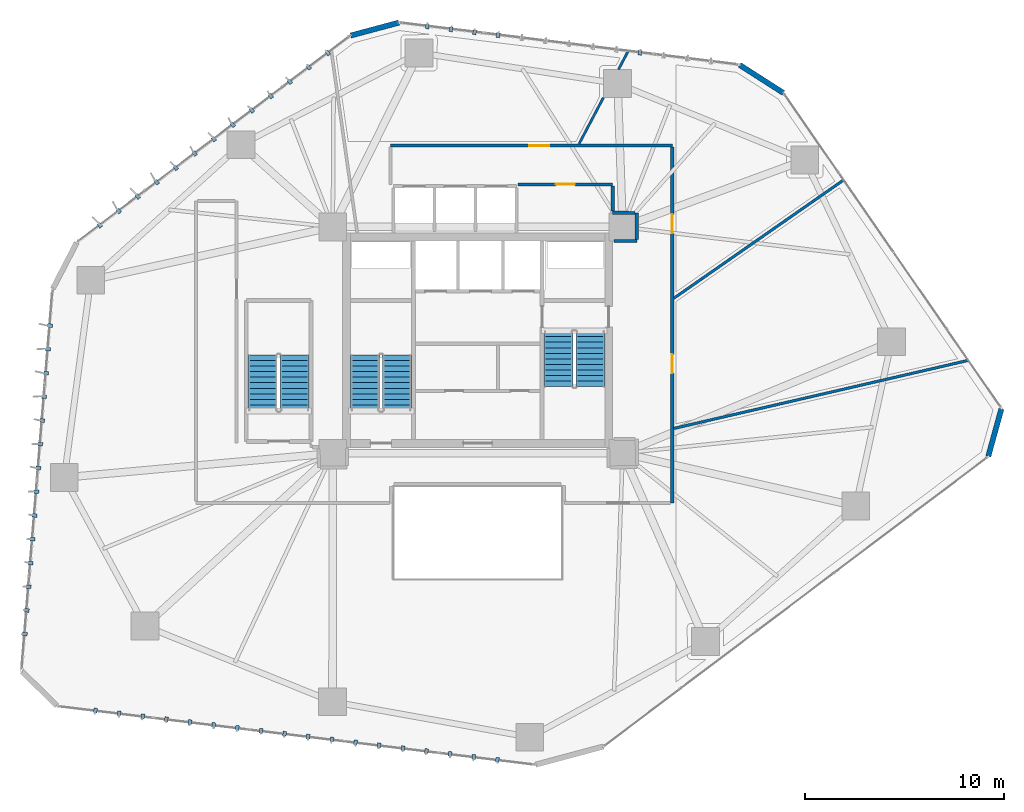
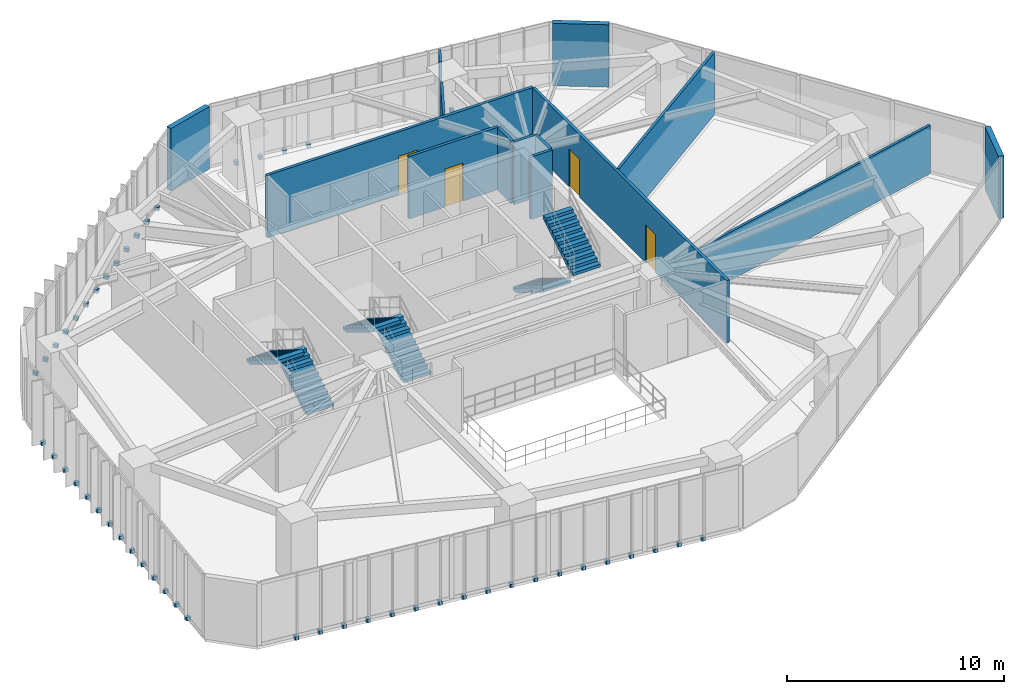
# One storey, part 19 of 23: 50 discrete accessories, 14 walls, 6 stair flights, 4 doors, 4 openings, 3 elements without a shape of their own.
"""IFC4 building model written with IfcOpenShell, lengths in metres."""

from ifc_helpers import new_model, si_unit, direction, frame, frame_2d, origin, origin_2d, place, context, subcontext, project, spatial, polyline, rectangle, outline, extrude, source, transform, mapped, material, layer, layer_set, type_object, type_shapes, element, fill, aggregate, save


model = new_model("IFC4")

# Units and contexts
model_context = context("Model", 3, precision=1e-05, world=origin(), true_north=direction((0.0, 1.0)))
body_context = subcontext(model_context, "Body", "Model", "MODEL_VIEW")
ifc_project = project(units=[si_unit("LENGTHUNIT", "METRE"), si_unit("AREAUNIT", "SQUARE_METRE"), si_unit("VOLUMEUNIT", "CUBIC_METRE"), si_unit("PLANEANGLEUNIT", "RADIAN"), si_unit("MASSUNIT", "GRAM", prefix="KILO")], contexts=[model_context])

# Site, building, storey
site_placement = place(None, origin())
site = spatial("IfcSite", under=ifc_project, at=site_placement, CompositionType="ELEMENT")
building_placement = place(site_placement, origin())
building = spatial("IfcBuilding", under=site, at=building_placement, Name="Talar Marvaseh", CompositionType="ELEMENT")
storey_placement = place(building_placement, frame((0.0, 0.0, 69.60009765625)))
storey = spatial("IfcBuildingStorey", under=building, at=storey_placement, Name="L17", CompositionType="ELEMENT", Elevation=69.60009765625)

# Walls
ifc_material_1 = material(Name="Precast concrete C45/55", Category="concrete")
ifc_layer_1 = layer(ifc_material_1, 0.27001953125)
ifc_layer_set_1 = layer_set([ifc_layer_1], Name="Precast concrete C45/55")
wall_type_1 = type_object("IfcWallType", Name="Chamfered Hexagonal Corner Pier Wall Z1 270", PredefinedType="SOLIDWALL", material=ifc_layer_set_1)
wall_1_placement = place(storey_placement, frame((19.595703125, 46.541259765625, 0.0), z_axis=(0.0, 0.0, 1.0), x_axis=(0.965929859648, 0.258803991931, 0.0)))
element("IfcWall", 1, at=wall_1_placement, inside=storey, type_object=wall_type_1, Name="L17 Chamfered Corner Limestone Pier 3", PredefinedType="SOLIDWALL", context=body_context, shape_type="SweptSolid", body=[
    extrude(rectangle(XDim=2.515869140625, YDim=0.27001953125, at=frame_2d((1.2578125, 0.0))), origin(), (0.0, 0.0, 1.0), 3.52001953125),
])
wall_2_placement = place(storey_placement, frame((39.190185546875, 45.062744140625, 0.0), z_axis=(0.0, 0.0, 1.0), x_axis=(0.842159829449, -0.53922798672, 0.0)))
element("IfcWall", 2, at=wall_2_placement, inside=storey, type_object=wall_type_1, Name="L17 Chamfered Corner Limestone Pier 4", PredefinedType="SOLIDWALL", context=body_context, shape_type="SweptSolid", body=[
    extrude(rectangle(XDim=2.623291015625, YDim=0.27001953125, at=frame_2d((1.3115234375, 0.0))), origin(), (0.0, 0.0, 1.0), 3.52001953125),
])
wall_3_placement = place(storey_placement, frame((52.380126953125, 27.733154296875, 0.0), z_axis=(0.0, 0.0, 1.0), x_axis=(-0.265960492777, -0.963983929473, 0.0)))
element("IfcWall", 3, at=wall_3_placement, inside=storey, type_object=wall_type_1, Name="L17 Chamfered Corner Limestone Pier 5", PredefinedType="SOLIDWALL", context=body_context, shape_type="SweptSolid", body=[
    extrude(rectangle(XDim=2.48388671875, YDim=0.27001953125, at=frame_2d((1.241943359375, 0.0))), origin(), (0.0, 0.0, 1.0), 3.52001953125),
])

# Wall, opening, door
ifc_material_2 = material(Name="Gypsum Board Partition Assembly")
ifc_layer_2 = layer(ifc_material_2, 0.155029296875)
ifc_layer_set_2 = layer_set([ifc_layer_2], Name="Gypsum Board Partition Assembly")
wall_type_2 = type_object("IfcWallType", Name="Corridor Fire-Rated Acoustic Partition 155", PredefinedType="PARTITIONING", material=ifc_layer_set_2)
wall_4_placement = place(storey_placement, frame((32.800048828125, 39.0400390625, 0.0), z_axis=(0.0, 0.0, 1.0), x_axis=(-1.0, 0.0, 0.0)))
wall_4 = element("IfcWall", 4, at=wall_4_placement, inside=storey, type_object=wall_type_2, Name="L17 Interior Partition Wall", PredefinedType="PARTITIONING", context=body_context, shape_type="SweptSolid", body=[
    extrude(rectangle(XDim=4.77001953125, YDim=0.155029296875, at=frame_2d((2.385009765625, 0.0))), origin(), (0.0, 0.0, 1.0), 3.52001953125),
])
opening_1_placement = place(wall_4_placement, frame((1.909912109375, 0.0, 0.0)))
opening_1 = element("IfcOpeningElement", 5, at=opening_1_placement, cuts=wall_4, Name="Opening DR-WC095", PredefinedType="OPENING", context=body_context, shape_type="SweptSolid", body=[
    extrude(rectangle(XDim=0.949951171875, YDim=2.14990234375, at=frame_2d((0.47509765625, 1.074951171875))), frame((0.0, 0.08740234375, 0.0), z_axis=(0.0, -1.0, 0.0), x_axis=(1.0, 0.0, 0.0)), (0.0, 0.0, 1.0), 0.175048828125),
])
ifc_material_3 = material(Name="Acoustic Engineered Oak Timber", Category="wood")
door_type_1 = type_object("IfcDoorType", Name="Washroom and Service Room Door 950x2150", OperationType="NOTDEFINED", PredefinedType="DOOR", material=ifc_material_3)
shared_shape_1 = source(origin(), body_context, "Body", "SweptSolid", [
    extrude(rectangle(XDim=0.949951171875, YDim=2.14990234375, at=frame_2d((0.47509765625, 1.074951171875))), frame((0.0, 0.02490234375, 0.0), z_axis=(0.0, -1.0, 0.0), x_axis=(1.0, 0.0, 0.0)), (0.0, 0.0, 1.0), 0.050048828125),
])
type_shapes(door_type_1, [shared_shape_1])
door_1_placement = place(opening_1_placement, origin())
door_1 = element("IfcDoor", 6, at=door_1_placement, inside=storey, type_object=door_type_1, Name="L17 WC Public Washrooms Door", OperationType="SINGLE_SWING_LEFT", OverallHeight=2.14990234375, OverallWidth=0.949951171875, PredefinedType="DOOR", context=body_context, shape_type="MappedRepresentation", body=[
    mapped(shared_shape_1, transform((0.0, 0.0, 0.0), x_axis=(1.0, 0.0, 0.0), y_axis=(0.0, 1.0, 0.0), z_axis=(0.0, 0.0, 1.0), scale=1.0)),
])
fill(opening_1, door_1)

wall_5_placement = place(storey_placement, frame((21.60009765625, 41.0, 0.0), z_axis=(0.0, 0.0, 1.0), x_axis=(1.0, 0.0, 0.0)))
wall_5 = element("IfcWall", 7, at=wall_5_placement, inside=storey, type_object=wall_type_2, Name="L17 Interior Partition Wall", PredefinedType="PARTITIONING", context=body_context, shape_type="SweptSolid", body=[
    extrude(rectangle(XDim=14.199951171875, YDim=0.155029296875, at=frame_2d((7.10009765625, 0.0))), origin(), (0.0, 0.0, 1.0), 3.52001953125),
])
opening_2_placement = place(wall_5_placement, frame((7.002685546875, 0.0, 0.0)))
opening_2 = element("IfcOpeningElement", 8, at=opening_2_placement, cuts=wall_5, Name="Opening DR-RM100", PredefinedType="OPENING", context=body_context, shape_type="SweptSolid", body=[
    extrude(rectangle(XDim=1.0, YDim=2.14990234375, at=frame_2d((0.5, 1.074951171875))), frame((0.0, 0.08740234375, 0.0), z_axis=(0.0, -1.0, 0.0), x_axis=(1.0, 0.0, 0.0)), (0.0, 0.0, 1.0), 0.175048828125),
])
door_type_2 = type_object("IfcDoorType", Name="Corridor Fire-Rated Gallery Door 1000x2150", OperationType="NOTDEFINED", PredefinedType="DOOR", material=ifc_material_3)
shared_shape_2 = source(origin(), body_context, "Body", "SweptSolid", [
    extrude(rectangle(XDim=1.0, YDim=2.14990234375, at=frame_2d((0.5, 1.074951171875))), frame((0.0, 0.02490234375, 0.0), z_axis=(0.0, -1.0, 0.0), x_axis=(1.0, 0.0, 0.0)), (0.0, 0.0, 1.0), 0.050048828125),
])
type_shapes(door_type_2, [shared_shape_2])
door_2_placement = place(opening_2_placement, origin())
door_2 = element("IfcDoor", 9, at=door_2_placement, inside=storey, type_object=door_type_2, Name="L17 Main Reading Room Door", OperationType="SINGLE_SWING_RIGHT", OverallHeight=2.14990234375, OverallWidth=1.0, PredefinedType="DOOR", context=body_context, shape_type="MappedRepresentation", body=[
    mapped(shared_shape_2, transform((0.0, 0.0, 0.0), x_axis=(1.0, 0.0, 0.0), y_axis=(0.0, 1.0, 0.0), z_axis=(0.0, 0.0, 1.0), scale=1.0)),
])
fill(opening_2, door_2)

# Wall, openings, doors
wall_6_placement = place(storey_placement, frame((35.800048828125, 40.91650390625, 0.0), z_axis=(0.0, 0.0, 1.0), x_axis=(0.0, -1.0, 0.0)))
wall_6 = element("IfcWall", 10, at=wall_6_placement, inside=storey, type_object=wall_type_2, Name="L17 Interior Partition Wall", PredefinedType="PARTITIONING", context=body_context, shape_type="SweptSolid", body=[
    extrude(rectangle(XDim=17.91650390625, YDim=0.155029296875, at=frame_2d((8.958251953125, 0.0))), origin(), (0.0, 0.0, 1.0), 3.52001953125),
])
opening_3_placement = place(wall_6_placement, frame((10.434814453125, 0.0, 0.0)))
opening_3 = element("IfcOpeningElement", 11, at=opening_3_placement, cuts=wall_6, Name="Opening DR-WC095", PredefinedType="OPENING", context=body_context, shape_type="SweptSolid", body=[
    extrude(rectangle(XDim=0.949951171875, YDim=2.14990234375, at=frame_2d((0.47509765625, 1.074951171875))), frame((0.0, 0.08740234375, 0.0), z_axis=(0.0, -1.0, 0.0), x_axis=(1.0, 0.0, 0.0)), (0.0, 0.0, 1.0), 0.175048828125),
])
opening_4_placement = place(wall_6_placement, frame((3.38623046875, 0.0, 0.0)))
opening_4 = element("IfcOpeningElement", 12, at=opening_4_placement, cuts=wall_6, Name="Opening DR-WC095", PredefinedType="OPENING", context=body_context, shape_type="SweptSolid", body=[
    extrude(rectangle(XDim=0.949951171875, YDim=2.14990234375, at=frame_2d((0.47509765625, 1.074951171875))), frame((0.0, 0.08740234375, 0.0), z_axis=(0.0, -1.0, 0.0), x_axis=(1.0, 0.0, 0.0)), (0.0, 0.0, 1.0), 0.175048828125),
])
door_3_placement = place(opening_3_placement, origin())
door_3 = element("IfcDoor", 13, at=door_3_placement, inside=storey, type_object=door_type_1, Name="L17 Rare Books Archive Room Door", OperationType="SINGLE_SWING_LEFT", OverallHeight=2.14990234375, OverallWidth=0.949951171875, PredefinedType="DOOR", context=body_context, shape_type="MappedRepresentation", body=[
    mapped(shared_shape_1, transform((0.0, 0.0, 0.0), x_axis=(1.0, 0.0, 0.0), y_axis=(0.0, 1.0, 0.0), z_axis=(0.0, 0.0, 1.0), scale=1.0)),
])
fill(opening_3, door_3)
door_4_placement = place(opening_4_placement, origin())
door_4 = element("IfcDoor", 14, at=door_4_placement, inside=storey, type_object=door_type_1, Name="L17 Accessible WC Block Door", OperationType="SINGLE_SWING_RIGHT", OverallHeight=2.14990234375, OverallWidth=0.949951171875, PredefinedType="DOOR", context=body_context, shape_type="MappedRepresentation", body=[
    mapped(shared_shape_1, transform((0.0, 0.0, 0.0), x_axis=(1.0, 0.0, 0.0), y_axis=(0.0, 1.0, 0.0), z_axis=(0.0, 0.0, 1.0), scale=1.0)),
])
fill(opening_4, door_4)

# Walls
wall_7_placement = place(storey_placement, frame((32.8701171875, 36.18505859375, 0.0), z_axis=(0.0, 0.0, 1.0), x_axis=(0.999988932255, 0.00470482389, 0.0)))
element("IfcWall", 15, at=wall_7_placement, inside=storey, type_object=wall_type_2, Name="L17 Interior Partition Wall", PredefinedType="PARTITIONING", context=body_context, shape_type="SweptSolid", body=[
    extrude(rectangle(XDim=1.1416015625, YDim=0.155029296875, at=frame_2d((0.57080078125, 0.0))), origin(), (0.0, 0.0, 1.0), 3.52001953125),
])
wall_8_placement = place(storey_placement, frame((34.01171875, 36.27392578125, 0.0), z_axis=(0.0, 0.0, 1.0), x_axis=(0.0, 1.0, 0.0)))
element("IfcWall", 16, at=wall_8_placement, inside=storey, type_object=wall_type_2, Name="L17 Interior Partition Wall", PredefinedType="PARTITIONING", context=body_context, shape_type="SweptSolid", body=[
    extrude(rectangle(XDim=1.335693359375, YDim=0.155029296875, at=frame_2d((0.66796875, 0.0))), origin(), (0.0, 0.0, 1.0), 3.52001953125),
])
wall_9_placement = place(storey_placement, frame((33.927978515625, 37.60986328125, 0.0), z_axis=(0.0, 0.0, 1.0), x_axis=(-0.999989669582, 0.004545407589, 0.0)))
element("IfcWall", 17, at=wall_9_placement, inside=storey, type_object=wall_type_2, Name="L17 Interior Partition Wall", PredefinedType="PARTITIONING", context=body_context, shape_type="SweptSolid", body=[
    extrude(rectangle(XDim=1.1279296875, YDim=0.155029296875, at=frame_2d((0.56396484375, 0.0))), origin(), (0.0, 0.0, 1.0), 3.52001953125),
])
wall_10_placement = place(storey_placement, frame((32.800048828125, 37.698486328125, 0.0), z_axis=(0.0, 0.0, 1.0), x_axis=(0.0, 1.0, 0.0)))
element("IfcWall", 18, at=wall_10_placement, inside=storey, type_object=wall_type_2, Name="L17 Interior Partition Wall", PredefinedType="PARTITIONING", context=body_context, shape_type="SweptSolid", body=[
    extrude(rectangle(XDim=1.258056640625, YDim=0.155029296875, at=frame_2d((0.62890625, 0.0))), origin(), (0.0, 0.0, 1.0), 3.52001953125),
])
ifc_layer_3 = layer(ifc_material_2, 0.1201171875)
ifc_layer_set_3 = layer_set([ifc_layer_3], Name="Gypsum Board Partition Assembly")
wall_type_3 = type_object("IfcWallType", Name="Demountable Studio Room Partition 120", PredefinedType="PARTITIONING", material=ifc_layer_set_3)
wall_11_placement = place(storey_placement, frame((31.10400390625, 41.08349609375, 0.0), z_axis=(0.0, 0.0, 1.0), x_axis=(0.466236131142, 0.884660313351, 0.0)))
element("IfcWall", 19, at=wall_11_placement, inside=storey, type_object=wall_type_3, Name="L17 Interior Partition Wall", PredefinedType="PARTITIONING", context=body_context, shape_type="SweptSolid", body=[
    extrude(rectangle(XDim=2.629638671875, YDim=0.1201171875, at=frame_2d((1.31494140625, 0.0))), origin(), (0.0, 0.0, 1.0), 3.52001953125),
])
wall_12_placement = place(storey_placement, frame((33.090087890625, 44.830078125, 0.0), z_axis=(0.0, 0.0, 1.0), x_axis=(0.46625411045, 0.884650837612, 0.0)))
element("IfcWall", 20, at=wall_12_placement, inside=storey, type_object=wall_type_3, Name="L17 Interior Partition Wall", PredefinedType="PARTITIONING", context=body_context, shape_type="SweptSolid", body=[
    extrude(rectangle(XDim=1.030517578125, YDim=0.1201171875, at=frame_2d((0.51513671875, 0.0))), origin(), (0.0, 0.0, 1.0), 3.52001953125),
])
ifc_layer_4 = layer(ifc_material_2, 0.135009765625)
ifc_layer_set_4 = layer_set([ifc_layer_4], Name="Gypsum Board Partition Assembly")
wall_type_4 = type_object("IfcWallType", Name="Gallery High-Acoustic Partition 135", PredefinedType="PARTITIONING", material=ifc_layer_set_4)
wall_13_placement = place(storey_placement, frame((35.86328125, 26.74462890625, 0.0), z_axis=(0.0, 0.0, 1.0), x_axis=(0.974313547444, 0.225195717691, 0.0)))
element("IfcWall", 21, at=wall_13_placement, inside=storey, type_object=wall_type_4, Name="L17 Interior Partition Wall", PredefinedType="PARTITIONING", context=body_context, shape_type="SweptSolid", body=[
    extrude(rectangle(XDim=15.219970703125, YDim=0.135009765625, at=frame_2d((7.60986328125, 0.0))), origin(), (0.0, 0.0, 1.0), 2.721923828125),
])
wall_14_placement = place(storey_placement, frame((35.883544921875, 33.30810546875, 0.0), z_axis=(0.0, 0.0, 1.0), x_axis=(0.820543678504, 0.571583827332, 0.0)))
element("IfcWall", 22, at=wall_14_placement, inside=storey, type_object=wall_type_4, Name="L17 Interior Partition Wall", PredefinedType="PARTITIONING", context=body_context, shape_type="SweptSolid", body=[
    extrude(rectangle(XDim=10.396728515625, YDim=0.135009765625, at=frame_2d((5.1982421875, 0.0))), origin(), (0.0, 0.0, 1.0), 3.52001953125),
])

# Stair, stair flights
ifc_material_4 = material(Name="Concrete C40/50", Category="concrete")
stair_type = type_object("IfcStairType", Name="Reinforced Concrete Half-Turn Exit Stair Type B", PredefinedType="HALF_TURN_STAIR", material=ifc_material_4)
stair_1_placement = place(storey_placement, origin())
stair_1 = element("IfcStair", 23, at=stair_1_placement, inside=storey, type_object=stair_type, Name="L17 Tower West Core Exit Stair", PredefinedType="HALF_TURN_STAIR")
ifc_layer_5 = layer(ifc_material_4, 0.159912109375)
ifc_layer_set_5 = layer_set([ifc_layer_5], Name="Concrete C40/50")
stair_flight_type = type_object("IfcStairFlightType", Name="Reinforced Concrete Straight Stair Flight 160", PredefinedType="STRAIGHT", material=ifc_layer_set_5)
stair_flight_1_placement = place(storey_placement, frame((21.93505859375, 27.64990234375, 0.0), z_axis=(0.0, 0.0, 1.0), x_axis=(0.0, 1.0, 0.0)))
stair_flight_1 = element("IfcStairFlight", 24, at=stair_flight_1_placement, type_object=stair_flight_type, Name="ST-1 flight 1", NumberOfRisers=11, NumberOfTreads=10, PredefinedType="STRAIGHT", RiserHeight=0.172727273, TreadLength=0.28, context=body_context, shape_type="SweptSolid", body=[
    extrude(outline(polyline([(0.0, 0.0), (0.0, 0.172607421875), (0.280029296875, 0.172607421875), (0.280029296875, 0.345458984375), (0.56005859375, 0.345458984375), (0.56005859375, 0.51806640625), (0.840087890625, 0.51806640625), (0.840087890625, 0.69091796875), (1.1201171875, 0.69091796875), (1.1201171875, 0.863525390625), (1.39990234375, 0.863525390625), (1.39990234375, 1.036376953125), (1.679931640625, 1.036376953125), (1.679931640625, 1.208984375), (1.9599609375, 1.208984375), (1.9599609375, 1.3818359375), (2.239990234375, 1.3818359375), (2.239990234375, 1.554443359375), (2.52001953125, 1.554443359375), (2.52001953125, 1.727294921875), (2.800048828125, 1.727294921875), (2.800048828125, 1.89990234375), (2.800048828125, 1.539306640625), (0.3046875, 0.0), (0.0, 0.0)])), frame((0.0, 0.72509765625, 0.0), z_axis=(0.0, -1.0, 0.0), x_axis=(1.0, 0.0, 0.0)), (0.0, 0.0, 1.0), 1.449951171875),
])
stair_flight_2_placement = place(storey_placement, frame((20.324951171875, 30.449951171875, 1.89990234375), z_axis=(0.0, 0.0, 1.0), x_axis=(0.0, -1.0, 0.0)))
stair_flight_2 = element("IfcStairFlight", 25, at=stair_flight_2_placement, type_object=stair_flight_type, Name="ST-1 flight 2", NumberOfRisers=11, NumberOfTreads=10, PredefinedType="STRAIGHT", RiserHeight=0.172727273, TreadLength=0.28, context=body_context, shape_type="SweptSolid", body=[
    extrude(outline(polyline([(0.0, 0.0), (0.0, 0.172607421875), (0.280029296875, 0.172607421875), (0.280029296875, 0.345458984375), (0.56005859375, 0.345458984375), (0.56005859375, 0.51806640625), (0.840087890625, 0.51806640625), (0.840087890625, 0.69091796875), (1.1201171875, 0.69091796875), (1.1201171875, 0.863525390625), (1.39990234375, 0.863525390625), (1.39990234375, 1.036376953125), (1.679931640625, 1.036376953125), (1.679931640625, 1.208984375), (1.9599609375, 1.208984375), (1.9599609375, 1.3818359375), (2.239990234375, 1.3818359375), (2.239990234375, 1.554443359375), (2.52001953125, 1.554443359375), (2.52001953125, 1.727294921875), (2.800048828125, 1.727294921875), (2.800048828125, 1.89990234375), (2.800048828125, 1.539306640625), (0.3046875, 0.0), (0.0, 0.0)])), frame((0.0, 0.72509765625, 0.0), z_axis=(0.0, -1.0, 0.0), x_axis=(1.0, 0.0, 0.0)), (0.0, 0.0, 1.0), 1.449951171875),
])
aggregate(stair_1, [stair_flight_1, stair_flight_2])

stair_2_placement = place(storey_placement, origin())
stair_2 = element("IfcStair", 26, at=stair_2_placement, inside=storey, type_object=stair_type, Name="L17 Tower East Core Exit Stair", PredefinedType="HALF_TURN_STAIR")
stair_flight_3_placement = place(storey_placement, frame((30.06494140625, 31.64990234375, 0.0), z_axis=(0.0, 0.0, 1.0), x_axis=(0.0, -1.0, 0.0)))
stair_flight_3 = element("IfcStairFlight", 27, at=stair_flight_3_placement, type_object=stair_flight_type, Name="ST-2 flight 1", NumberOfRisers=11, NumberOfTreads=10, PredefinedType="STRAIGHT", RiserHeight=0.172727273, TreadLength=0.28, context=body_context, shape_type="SweptSolid", body=[
    extrude(outline(polyline([(0.0, 0.0), (0.0, 0.172607421875), (0.280029296875, 0.172607421875), (0.280029296875, 0.345458984375), (0.56005859375, 0.345458984375), (0.56005859375, 0.51806640625), (0.840087890625, 0.51806640625), (0.840087890625, 0.69091796875), (1.1201171875, 0.69091796875), (1.1201171875, 0.863525390625), (1.39990234375, 0.863525390625), (1.39990234375, 1.036376953125), (1.679931640625, 1.036376953125), (1.679931640625, 1.208984375), (1.9599609375, 1.208984375), (1.9599609375, 1.3818359375), (2.239990234375, 1.3818359375), (2.239990234375, 1.554443359375), (2.52001953125, 1.554443359375), (2.52001953125, 1.727294921875), (2.800048828125, 1.727294921875), (2.800048828125, 1.89990234375), (2.800048828125, 1.539306640625), (0.3046875, 0.0), (0.0, 0.0)])), frame((0.0, 0.72509765625, 0.0), z_axis=(0.0, -1.0, 0.0), x_axis=(1.0, 0.0, 0.0)), (0.0, 0.0, 1.0), 1.449951171875),
])
stair_flight_4_placement = place(storey_placement, frame((31.675048828125, 28.85009765625, 1.89990234375), z_axis=(0.0, 0.0, 1.0), x_axis=(0.0, 1.0, 0.0)))
stair_flight_4 = element("IfcStairFlight", 28, at=stair_flight_4_placement, type_object=stair_flight_type, Name="ST-2 flight 2", NumberOfRisers=11, NumberOfTreads=10, PredefinedType="STRAIGHT", RiserHeight=0.172727273, TreadLength=0.28, context=body_context, shape_type="SweptSolid", body=[
    extrude(outline(polyline([(0.0, 0.0), (0.0, 0.172607421875), (0.280029296875, 0.172607421875), (0.280029296875, 0.345458984375), (0.56005859375, 0.345458984375), (0.56005859375, 0.51806640625), (0.840087890625, 0.51806640625), (0.840087890625, 0.69091796875), (1.1201171875, 0.69091796875), (1.1201171875, 0.863525390625), (1.39990234375, 0.863525390625), (1.39990234375, 1.036376953125), (1.679931640625, 1.036376953125), (1.679931640625, 1.208984375), (1.9599609375, 1.208984375), (1.9599609375, 1.3818359375), (2.239990234375, 1.3818359375), (2.239990234375, 1.554443359375), (2.52001953125, 1.554443359375), (2.52001953125, 1.727294921875), (2.800048828125, 1.727294921875), (2.800048828125, 1.89990234375), (2.800048828125, 1.539306640625), (0.3046875, 0.0), (0.0, 0.0)])), frame((0.0, 0.72509765625, 0.0), z_axis=(0.0, -1.0, 0.0), x_axis=(1.0, 0.0, 0.0)), (0.0, 0.0, 1.0), 1.449951171875),
])
aggregate(stair_2, [stair_flight_3, stair_flight_4])

stair_3_placement = place(storey_placement, origin())
stair_3 = element("IfcStair", 29, at=stair_3_placement, inside=storey, type_object=stair_type, Name="L17 Museum & Podium Auxiliary Exit Stair", PredefinedType="HALF_TURN_STAIR")
stair_flight_5_placement = place(storey_placement, frame((16.77490234375, 27.64990234375, 0.0), z_axis=(0.0, 0.0, 1.0), x_axis=(0.0, 1.0, 0.0)))
stair_flight_5 = element("IfcStairFlight", 30, at=stair_flight_5_placement, type_object=stair_flight_type, Name="ST-3 flight 1", NumberOfRisers=11, NumberOfTreads=10, PredefinedType="STRAIGHT", RiserHeight=0.172727273, TreadLength=0.28, context=body_context, shape_type="SweptSolid", body=[
    extrude(outline(polyline([(0.0, 0.0), (0.0, 0.172607421875), (0.280029296875, 0.172607421875), (0.280029296875, 0.345458984375), (0.56005859375, 0.345458984375), (0.56005859375, 0.51806640625), (0.840087890625, 0.51806640625), (0.840087890625, 0.69091796875), (1.1201171875, 0.69091796875), (1.1201171875, 0.863525390625), (1.39990234375, 0.863525390625), (1.39990234375, 1.036376953125), (1.679931640625, 1.036376953125), (1.679931640625, 1.208984375), (1.9599609375, 1.208984375), (1.9599609375, 1.3818359375), (2.239990234375, 1.3818359375), (2.239990234375, 1.554443359375), (2.52001953125, 1.554443359375), (2.52001953125, 1.727294921875), (2.800048828125, 1.727294921875), (2.800048828125, 1.89990234375), (2.800048828125, 1.539306640625), (0.3046875, 0.0), (0.0, 0.0)])), frame((0.0, 0.72509765625, 0.0), z_axis=(0.0, -1.0, 0.0), x_axis=(1.0, 0.0, 0.0)), (0.0, 0.0, 1.0), 1.449951171875),
])
stair_flight_6_placement = place(storey_placement, frame((15.1650390625, 30.449951171875, 1.89990234375), z_axis=(0.0, 0.0, 1.0), x_axis=(0.0, -1.0, 0.0)))
stair_flight_6 = element("IfcStairFlight", 31, at=stair_flight_6_placement, type_object=stair_flight_type, Name="ST-3 flight 2", NumberOfRisers=11, NumberOfTreads=10, PredefinedType="STRAIGHT", RiserHeight=0.172727273, TreadLength=0.28, context=body_context, shape_type="SweptSolid", body=[
    extrude(outline(polyline([(0.0, 0.0), (0.0, 0.172607421875), (0.280029296875, 0.172607421875), (0.280029296875, 0.345458984375), (0.56005859375, 0.345458984375), (0.56005859375, 0.51806640625), (0.840087890625, 0.51806640625), (0.840087890625, 0.69091796875), (1.1201171875, 0.69091796875), (1.1201171875, 0.863525390625), (1.39990234375, 0.863525390625), (1.39990234375, 1.036376953125), (1.679931640625, 1.036376953125), (1.679931640625, 1.208984375), (1.9599609375, 1.208984375), (1.9599609375, 1.3818359375), (2.239990234375, 1.3818359375), (2.239990234375, 1.554443359375), (2.52001953125, 1.554443359375), (2.52001953125, 1.727294921875), (2.800048828125, 1.727294921875), (2.800048828125, 1.89990234375), (2.800048828125, 1.539306640625), (0.3046875, 0.0), (0.0, 0.0)])), frame((0.0, 0.72509765625, 0.0), z_axis=(0.0, -1.0, 0.0), x_axis=(1.0, 0.0, 0.0)), (0.0, 0.0, 1.0), 1.449951171875),
])
aggregate(stair_3, [stair_flight_5, stair_flight_6])

# Discrete accessories
ifc_material_5 = material(Name="Stainless Steel Grade 316", Category="steel")
discrete_accessory_type = type_object("IfcDiscreteAccessoryType", Name="Stainless Slab-Edge Fin Mounting Bracket", PredefinedType="BRACKET", material=ifc_material_5)
shared_shape_3 = source(origin(), body_context, "Body", "SweptSolid", [
    extrude(rectangle(XDim=0.239990234375, YDim=0.179931640625, at=origin_2d()), origin(), (0.0, 0.0, 1.0), 0.199951171875),
])
type_shapes(discrete_accessory_type, [shared_shape_3])
for number, where, z_axis, x_axis, name in (
    (32, (3.1884765625, 16.385009765625, -0.18017578125), (0.0, 0.0, 1.0), (-0.996708512156, 0.081068747348, 0.0), "L17 Vertical Fin Slab-Edge Bracket"),
    (33, (3.28564453125, 17.5810546875, -0.18017578125), (0.0, 0.0, 1.0), (-0.996708512156, 0.081068747348, 0.0), "L17 Vertical Fin Slab-Edge Bracket"),
    (34, (3.383056640625, 18.777099609375, -0.18017578125), (0.0, 0.0, 1.0), (-0.996708512156, 0.081068747348, 0.0), "L17 Vertical Fin Slab-Edge Bracket"),
    (35, (3.48046875, 19.97314453125, -0.18017578125), (0.0, 0.0, 1.0), (-0.996708512156, 0.081068747348, 0.0), "L17 Vertical Fin Slab-Edge Bracket"),
    (36, (3.577880859375, 21.169189453125, -0.18017578125), (0.0, 0.0, 1.0), (-0.996708512156, 0.081068747348, 0.0), "L17 Vertical Fin Slab-Edge Bracket"),
    (37, (3.67529296875, 22.365234375, -0.18017578125), (0.0, 0.0, 1.0), (-0.996708512156, 0.081068747348, 0.0), "L17 Vertical Fin Slab-Edge Bracket"),
    (38, (3.772705078125, 23.561279296875, -0.18017578125), (0.0, 0.0, 1.0), (-0.996708512156, 0.081068747348, 0.0), "L17 Vertical Fin Slab-Edge Bracket"),
    (39, (3.869873046875, 24.75732421875, -0.18017578125), (0.0, 0.0, 1.0), (-0.996708512156, 0.081068747348, 0.0), "L17 Vertical Fin Slab-Edge Bracket"),
    (40, (3.96728515625, 25.953369140625, -0.18017578125), (0.0, 0.0, 1.0), (-0.996708512156, 0.081068747348, 0.0), "L17 Vertical Fin Slab-Edge Bracket"),
    (41, (4.064697265625, 27.1494140625, -0.18017578125), (0.0, 0.0, 1.0), (-0.996708512156, 0.081068747348, 0.0), "L17 Vertical Fin Slab-Edge Bracket"),
    (42, (4.162109375, 28.345458984375, -0.18017578125), (0.0, 0.0, 1.0), (-0.996708512156, 0.081068747348, 0.0), "L17 Vertical Fin Slab-Edge Bracket"),
    (43, (4.259521484375, 29.54150390625, -0.18017578125), (0.0, 0.0, 1.0), (-0.996708512156, 0.081068747348, 0.0), "L17 Vertical Fin Slab-Edge Bracket"),
    (44, (4.356689453125, 30.737548828125, -0.18017578125), (0.0, 0.0, 1.0), (-0.996708512156, 0.081068747348, 0.0), "L17 Vertical Fin Slab-Edge Bracket"),
    (45, (4.4541015625, 31.93359375, -0.18017578125), (0.0, 0.0, 1.0), (-0.996708512156, 0.081068747348, 0.0), "L17 Vertical Fin Slab-Edge Bracket"),
    (46, (6.9609375, 36.977294921875, -0.18017578125), (0.0, 0.0, 1.0), (-0.602790291109, 0.797899658444, 0.0), "L17 Vertical Fin Slab-Edge Bracket"),
    (47, (7.91845703125, 37.700439453125, -0.18017578125), (0.0, 0.0, 1.0), (-0.602790291109, 0.797899658444, 0.0), "L17 Vertical Fin Slab-Edge Bracket"),
    (48, (8.8759765625, 38.423828125, -0.18017578125), (0.0, 0.0, 1.0), (-0.602790291109, 0.797899658444, 0.0), "L17 Vertical Fin Slab-Edge Bracket"),
    (49, (9.83349609375, 39.147216796875, -0.18017578125), (0.0, 0.0, 1.0), (-0.602790291109, 0.797899658444, 0.0), "L17 Vertical Fin Slab-Edge Bracket"),
    (50, (10.791015625, 39.87060546875, -0.18017578125), (0.0, 0.0, 1.0), (-0.602790291109, 0.797899658444, 0.0), "L17 Vertical Fin Slab-Edge Bracket"),
    (51, (11.748291015625, 40.59375, -0.18017578125), (0.0, 0.0, 1.0), (-0.602790291109, 0.797899658444, 0.0), "L17 Vertical Fin Slab-Edge Bracket"),
    (52, (12.705810546875, 41.317138671875, -0.18017578125), (0.0, 0.0, 1.0), (-0.602790291109, 0.797899658444, 0.0), "L17 Vertical Fin Slab-Edge Bracket"),
    (53, (13.663330078125, 42.040283203125, -0.18017578125), (0.0, 0.0, 1.0), (-0.602790291109, 0.797899658444, 0.0), "L17 Vertical Fin Slab-Edge Bracket"),
    (54, (14.620849609375, 42.763671875, -0.18017578125), (0.0, 0.0, 1.0), (-0.602790291109, 0.797899658444, 0.0), "L17 Vertical Fin Slab-Edge Bracket"),
    (55, (15.578369140625, 43.487060546875, -0.18017578125), (0.0, 0.0, 1.0), (-0.602790291109, 0.797899658444, 0.0), "L17 Vertical Fin Slab-Edge Bracket"),
    (56, (16.535888671875, 44.21044921875, -0.18017578125), (0.0, 0.0, 1.0), (-0.602790291109, 0.797899658444, 0.0), "L17 Vertical Fin Slab-Edge Bracket"),
    (57, (17.493408203125, 44.93359375, -0.18017578125), (0.0, 0.0, 1.0), (-0.602790291109, 0.797899658444, 0.0), "L17 Vertical Fin Slab-Edge Bracket"),
    (58, (18.450927734375, 45.656982421875, -0.18017578125), (0.0, 0.0, 1.0), (-0.602790291109, 0.797899658444, 0.0), "L17 Vertical Fin Slab-Edge Bracket"),
    (59, (23.459228515625, 46.9990234375, -0.18017578125), (0.0, 0.0, 1.0), (0.123081876034, 0.992396519438, 0.0), "L17 Vertical Fin Slab-Edge Bracket"),
    (60, (24.650146484375, 46.851318359375, -0.18017578125), (0.0, 0.0, 1.0), (0.123081876034, 0.992396519438, 0.0), "L17 Vertical Fin Slab-Edge Bracket"),
    (61, (25.8408203125, 46.70361328125, -0.18017578125), (0.0, 0.0, 1.0), (0.123081876034, 0.992396519438, 0.0), "L17 Vertical Fin Slab-Edge Bracket"),
    (62, (27.03173828125, 46.555908203125, -0.18017578125), (0.0, 0.0, 1.0), (0.123081876034, 0.992396519438, 0.0), "L17 Vertical Fin Slab-Edge Bracket"),
    (63, (34.177001953125, 45.670166015625, -0.18017578125), (0.0, 0.0, 1.0), (0.123081876034, 0.992396519438, 0.0), "L17 Vertical Fin Slab-Edge Bracket"),
    (64, (26.99169921875, 10.0556640625, -0.18017578125), (0.0, 0.0, 1.0), (-0.121696109567, -0.992567406737, 0.0), "L17 Vertical Fin Slab-Edge Bracket"),
    (65, (25.800537109375, 10.20166015625, -0.18017578125), (0.0, 0.0, 1.0), (-0.121696109567, -0.992567406737, 0.0), "L17 Vertical Fin Slab-Edge Bracket"),
    (66, (24.609375, 10.347900390625, -0.18017578125), (0.0, 0.0, 1.0), (-0.121696109567, -0.992567406737, 0.0), "L17 Vertical Fin Slab-Edge Bracket"),
    (67, (23.41845703125, 10.493896484375, -0.18017578125), (0.0, 0.0, 1.0), (-0.121696109567, -0.992567406737, 0.0), "L17 Vertical Fin Slab-Edge Bracket"),
    (68, (22.227294921875, 10.639892578125, -0.18017578125), (0.0, 0.0, 1.0), (-0.121696109567, -0.992567406737, 0.0), "L17 Vertical Fin Slab-Edge Bracket"),
    (69, (21.0361328125, 10.785888671875, -0.18017578125), (0.0, 0.0, 1.0), (-0.121696109567, -0.992567406737, 0.0), "L17 Vertical Fin Slab-Edge Bracket"),
    (70, (19.84521484375, 10.931884765625, -0.18017578125), (0.0, 0.0, 1.0), (-0.121696109567, -0.992567406737, 0.0), "L17 Vertical Fin Slab-Edge Bracket"),
    (71, (18.654052734375, 11.078125, -0.18017578125), (0.0, 0.0, 1.0), (-0.121696109567, -0.992567406737, 0.0), "L17 Vertical Fin Slab-Edge Bracket"),
    (72, (17.462890625, 11.22412109375, -0.18017578125), (0.0, 0.0, 1.0), (-0.121696109567, -0.992567406737, 0.0), "L17 Vertical Fin Slab-Edge Bracket"),
    (73, (16.27197265625, 11.3701171875, -0.18017578125), (0.0, 0.0, 1.0), (-0.121696109567, -0.992567406737, 0.0), "L17 Vertical Fin Slab-Edge Bracket"),
    (74, (15.080810546875, 11.51611328125, -0.18017578125), (0.0, 0.0, 1.0), (-0.121696109567, -0.992567406737, 0.0), "L17 Vertical Fin Slab-Edge Bracket"),
    (75, (13.8896484375, 11.662353515625, -0.18017578125), (0.0, 0.0, 1.0), (-0.121696109567, -0.992567406737, 0.0), "L17 Vertical Fin Slab-Edge Bracket"),
    (76, (12.69873046875, 11.808349609375, -0.18017578125), (0.0, 0.0, 1.0), (-0.121696109567, -0.992567406737, 0.0), "L17 Vertical Fin Slab-Edge Bracket"),
    (77, (11.507568359375, 11.954345703125, -0.18017578125), (0.0, 0.0, 1.0), (-0.121696109567, -0.992567406737, 0.0), "L17 Vertical Fin Slab-Edge Bracket"),
    (78, (10.31640625, 12.1005859375, -0.18017578125), (0.0, 0.0, 1.0), (-0.121696109567, -0.992567406737, 0.0), "L17 Vertical Fin Slab-Edge Bracket"),
    (79, (9.12548828125, 12.24658203125, -0.18017578125), (0.0, 0.0, 1.0), (-0.121696109567, -0.992567406737, 0.0), "L17 Vertical Fin Slab-Edge Bracket"),
    (80, (7.934326171875, 12.392578125, -0.18017578125), (0.0, 0.0, 1.0), (-0.121696109567, -0.992567406737, 0.0), "L17 Vertical Fin Slab-Edge Bracket"),
    (81, (6.743408203125, 12.53857421875, -0.18017578125), (0.0, 0.0, 1.0), (-0.121696109567, -0.992567406737, 0.0), "L17 Vertical Fin Slab-Edge Bracket"),
):
    element("IfcDiscreteAccessory", number, at=place(storey_placement, frame(where, z_axis=z_axis, x_axis=x_axis)), inside=storey, type_object=discrete_accessory_type, Name=name, PredefinedType="BRACKET", context=body_context, shape_type="MappedRepresentation", body=[
        mapped(shared_shape_3, transform((0.0, 0.0, 0.0), x_axis=(1.0, 0.0, 0.0), y_axis=(0.0, 1.0, 0.0), z_axis=(0.0, 0.0, 1.0), scale=1.0)),
    ])

save(model, "model.ifc")
